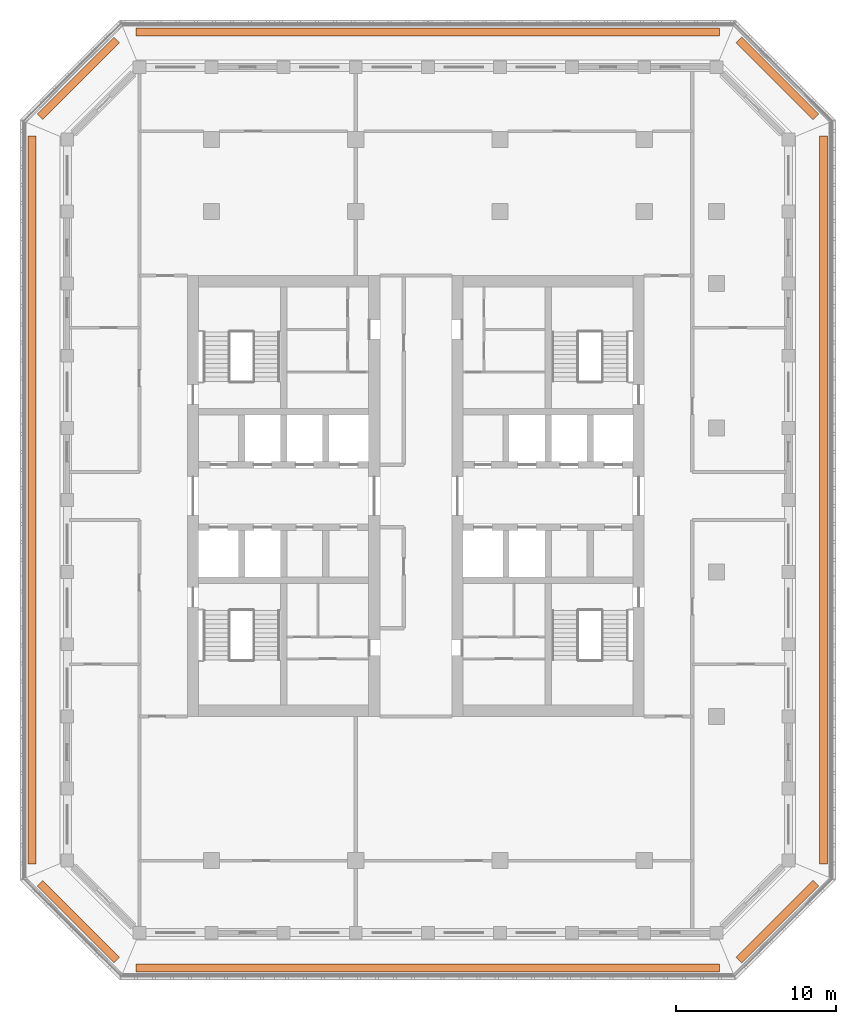
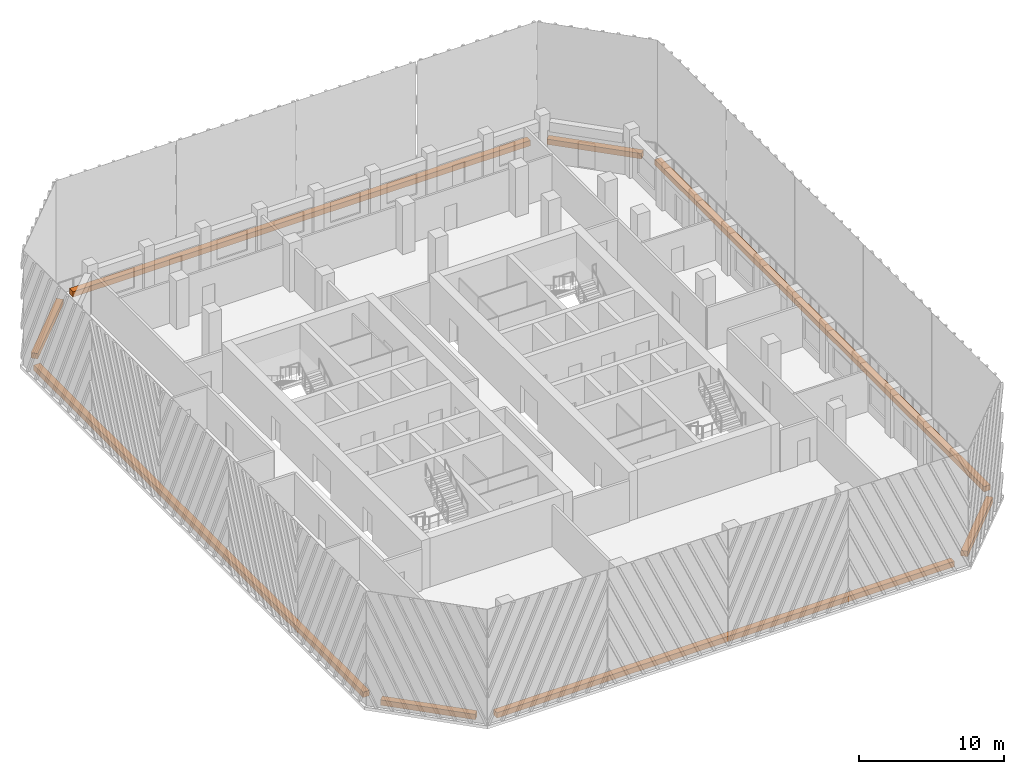
# One storey, part 17 of 17: 8 proxies.
"""IFC4 building model written with IfcOpenShell, lengths in metres."""

import ifcopenshell
import ifcopenshell.guid

model = None  # the IFC model being written
_history = None  # IfcOwnerHistory: only IFC2X3 demands one
_inside = {}  # id of a spatial element -> (the spatial element, [elements in it])
_under = {}  # id of a project, library or spatial element -> (it, [spatial elements below it])
_declared = {}  # id of a project -> (the project, [libraries it declares])
_typed = {}  # id of a type object -> (the type object, [elements of that type])
_made_of = {}  # id of a material, layer set ... -> (it, [elements and type objects made of it])


def new_model(schema):
    """Start an empty IFC model of exactly this schema.

    Asked for "IFC4X3", IfcOpenShell would pick the latest addendum, in which some entities
    have other attributes; the version numbers below select the first issue.
    IFC2X3 requires an IfcOwnerHistory on every rooted entity: one is made here for all.
    """
    global model, _history
    if schema == "IFC4X3":
        model = ifcopenshell.file(schema_version=(4, 3, 0, 0))
    else:
        model = ifcopenshell.file(schema=schema)
    _inside.clear()
    _under.clear()
    _declared.clear()
    _typed.clear()
    _made_of.clear()
    _history = None
    if model.schema == "IFC2X3":
        org = make("IfcOrganization", Name="unknown")
        user = make(
            "IfcPersonAndOrganization",
            ThePerson=make("IfcPerson", FamilyName="unknown"),
            TheOrganization=org,
        )
        app = make(
            "IfcApplication",
            ApplicationDeveloper=org,
            Version="unknown",
            ApplicationFullName="unknown",
            ApplicationIdentifier="unknown",
        )
        _history = make(
            "IfcOwnerHistory",
            OwningUser=user,
            OwningApplication=app,
            ChangeAction="ADDED",
            CreationDate=0,
        )
    return model


def make(cls, **values):
    """One entity of the class cls with the attributes given. An attribute that is None is left unset."""
    return model.create_entity(
        cls, **{name: value for name, value in values.items() if value is not None}
    )


def rooted(cls, **values):
    """An entity with a GlobalId (a new one), such as an element, a storey or a relation."""
    return make(cls, GlobalId=ifcopenshell.guid.new(), OwnerHistory=_history, **values)


def si_unit(unit_type, name, prefix=None):
    """IfcSIUnit, for example si_unit("LENGTHUNIT", "METRE", prefix="MILLI")."""
    return make("IfcSIUnit", UnitType=unit_type, Prefix=prefix, Name=name)


def assignment(units):
    """IfcUnitAssignment: the units of a project."""
    return None if units is None else make("IfcUnitAssignment", Units=units)


def point(xyz):
    """IfcCartesianPoint."""
    return None if xyz is None else make("IfcCartesianPoint", Coordinates=xyz)


def direction(xyz):
    """IfcDirection."""
    return None if xyz is None else make("IfcDirection", DirectionRatios=xyz)


def frame(location, z_axis=None, x_axis=None):
    """IfcAxis2Placement3D, a coordinate frame: its origin and axes. An axis left out is left unset."""
    return make(
        "IfcAxis2Placement3D",
        Location=point(location),
        Axis=direction(z_axis),
        RefDirection=direction(x_axis),
    )


def frame_2d(location, x_axis=None):
    """IfcAxis2Placement2D, a coordinate frame in the plane: its origin and x axis."""
    return make(
        "IfcAxis2Placement2D", Location=point(location), RefDirection=direction(x_axis)
    )


def origin():
    """The frame at (0, 0, 0) with its axes left unset."""
    return frame((0.0, 0.0, 0.0))


def origin_2d():
    """The frame at (0, 0) in the plane with its x axis left unset."""
    return frame_2d((0.0, 0.0))


def place(relative_to, where):
    """IfcLocalPlacement: puts the frame where relative to a parent placement (None: the world)."""
    return make(
        "IfcLocalPlacement", PlacementRelTo=relative_to, RelativePlacement=where
    )


def context(
    kind, dimensions, precision=None, world=None, true_north=None, identifier=None
):
    """IfcGeometricRepresentationContext, for example the 3D "Model" context."""
    return make(
        "IfcGeometricRepresentationContext",
        ContextIdentifier=identifier,
        ContextType=kind,
        CoordinateSpaceDimension=dimensions,
        Precision=precision,
        WorldCoordinateSystem=world,
        TrueNorth=true_north,
    )


def subcontext(parent, identifier, kind, view, scale=None):
    """IfcGeometricRepresentationSubContext, for example "Body" below "Model"."""
    return make(
        "IfcGeometricRepresentationSubContext",
        ContextIdentifier=identifier,
        ContextType=kind,
        ParentContext=parent,
        TargetScale=scale,
        TargetView=view,
    )


def project(units=None, contexts=None):
    """IfcProject with its units and contexts."""
    return rooted(
        "IfcProject",
        Name="project",
        RepresentationContexts=contexts,
        UnitsInContext=assignment(units),
    )


def spatial(cls, under=None, at=None, **own):
    """A site, building, storey or space (cls), placed at a placement, below another one or the project."""
    s = rooted(cls, ObjectPlacement=at, **own)
    if under is not None:
        _under.setdefault(under.id(), (under, []))[1].append(s)
    return s


def profile(cls, at=None, kind="AREA", **sizes):
    """A parametric profile (cls). Its sizes go by their IFC names, for example OverallWidth=200.0."""
    return make(cls, ProfileType=kind, Position=at, **sizes)


def rectangle(**sizes):
    """IfcRectangleProfileDef."""
    return profile("IfcRectangleProfileDef", **sizes)


def extrude(swept, where, along, depth):
    """IfcExtrudedAreaSolid: the profile swept, set in the frame where, extruded along a direction by depth."""
    return make(
        "IfcExtrudedAreaSolid",
        SweptArea=swept,
        Position=where,
        ExtrudedDirection=direction(along),
        Depth=depth,
    )


def shape(context_of_items, identifier, shape_type, items):
    """IfcShapeRepresentation: the items that make up one representation, for example the "Body"."""
    return make(
        "IfcShapeRepresentation",
        ContextOfItems=context_of_items,
        RepresentationIdentifier=identifier,
        RepresentationType=shape_type,
        Items=items,
    )


def material(Name=None, Category=None):
    """IfcMaterial."""
    return make("IfcMaterial", Name=Name, Category=Category)


def made_of(thing, what):
    """Note that an element or type object is made of a material, layer set ...; save() writes the relation."""
    if what is not None:
        _made_of.setdefault(what.id(), (what, []))[1].append(thing)
    return thing


def type_object(cls, material=None, **own):
    """A type object (cls), such as IfcWallType, which elements share."""
    return made_of(rooted(cls, **own), material)


def element(
    cls,
    number,
    at=None,
    inside=None,
    cuts=None,
    type_object=None,
    material=None,
    context=None,
    identifier="Body",
    shape_type=None,
    held_by="IfcProductDefinitionShape",
    body=None,
    shapes=None,
    **own,
):
    """One element of the class cls, such as IfcWall. Its Tag is "e" and its number.

    at: its placement. inside: the storey or other place that contains it. cuts: it is an
    opening in that element (IfcRelVoidsElement). A single representation is given by context,
    identifier, shape_type and body (its items); several are given by shapes. held_by: the class
    of the entity that holds the representations. save() writes the other relations.
    """
    e = rooted(cls, Tag="e%d" % number, ObjectPlacement=at, **own)
    if body is not None:
        shapes = [shape(context, identifier, shape_type, body)]
    if shapes is not None:
        e.Representation = make(held_by, Representations=shapes)
    if inside is not None:
        _inside.setdefault(inside.id(), (inside, []))[1].append(e)
    if cuts is not None:
        rooted(
            "IfcRelVoidsElement", RelatingBuildingElement=cuts, RelatedOpeningElement=e
        )
    if type_object is not None:
        _typed.setdefault(type_object.id(), (type_object, []))[1].append(e)
    return made_of(e, material)


def aggregate(whole, parts):
    """IfcRelAggregates: a whole, such as a stair, and the parts it consists of."""
    return rooted("IfcRelAggregates", RelatingObject=whole, RelatedObjects=parts)


def save(model, path):
    """Write the relations noted so far, then the file.

    IfcRelAggregates (storeys below a building ...), IfcRelContainedInSpatialStructure (elements
    in a storey), IfcRelDefinesByType, IfcRelAssociatesMaterial and IfcRelDeclares: one each for
    every whole, place, type object, material and project.
    """
    for whole, parts in _under.values():
        aggregate(whole, parts)
    for where, things in _inside.values():
        rooted(
            "IfcRelContainedInSpatialStructure",
            RelatedElements=things,
            RelatingStructure=where,
        )
    for kind, things in _typed.values():
        rooted("IfcRelDefinesByType", RelatedObjects=things, RelatingType=kind)
    for what, things in _made_of.values():
        rooted("IfcRelAssociatesMaterial", RelatedObjects=things, RelatingMaterial=what)
    for by, libraries in _declared.values():
        rooted("IfcRelDeclares", RelatingContext=by, RelatedDefinitions=libraries)
    model.write(path)


model = new_model("IFC4")

# Units and contexts
model_context = context("Model", 3, precision=1e-05, world=origin(), true_north=direction((0.0, 1.0)))
body_context = subcontext(model_context, "Body", "Model", "MODEL_VIEW")
ifc_project = project(units=[si_unit("LENGTHUNIT", "METRE"), si_unit("AREAUNIT", "SQUARE_METRE"), si_unit("VOLUMEUNIT", "CUBIC_METRE"), si_unit("PLANEANGLEUNIT", "RADIAN"), si_unit("MASSUNIT", "GRAM", prefix="KILO")], contexts=[model_context])

# Site, building, storey
site_placement = place(None, origin())
site = spatial("IfcSite", under=ifc_project, at=site_placement, CompositionType="ELEMENT")
building_placement = place(site_placement, origin())
building = spatial("IfcBuilding", under=site, at=building_placement, Name="Corbel Stack Research Tower", CompositionType="ELEMENT")
storey_placement = place(building_placement, frame((0.0, 0.0, 256.199951171875)))
storey = spatial("IfcBuildingStorey", under=building, at=storey_placement, Name="L58", CompositionType="ELEMENT", Elevation=256.199951171875)

# Proxies
ifc_material = material(Name="Concrete C45/55", Category="concrete")
building_element_proxy_type = type_object("IfcBuildingElementProxyType", Name="Planter box", PredefinedType="USERDEFINED", material=ifc_material)
proxy_1_placement = place(storey_placement, frame((4.5, -24.699951171875, 0.0), z_axis=(0.0, 0.0, 1.0), x_axis=(1.0, 0.0, 0.0)))
element("IfcBuildingElementProxy", 1, at=proxy_1_placement, inside=storey, type_object=building_element_proxy_type, Name="Planter L58 S", ObjectType="PLANTER", PredefinedType="USERDEFINED", context=body_context, shape_type="SweptSolid", body=[
    extrude(rectangle(XDim=36.41064453125, YDim=0.5, at=origin_2d()), origin(), (0.0, 0.0, 1.0), 0.449951171875),
])
proxy_2_placement = place(storey_placement, frame((26.3056640625, -21.8056640625, 0.0), z_axis=(0.0, 0.0, 1.0), x_axis=(0.707106781187, 0.707106781187, 0.0)))
element("IfcBuildingElementProxy", 2, at=proxy_2_placement, inside=storey, type_object=building_element_proxy_type, Name="Planter L58 SE", ObjectType="PLANTER", PredefinedType="USERDEFINED", context=body_context, shape_type="SweptSolid", body=[
    extrude(rectangle(XDim=6.774658203125, YDim=0.5, at=origin_2d()), origin(), (0.0, 0.0, 1.0), 0.449951171875),
])
proxy_3_placement = place(storey_placement, frame((29.199951171875, 4.5, 0.0), z_axis=(0.0, 0.0, 1.0), x_axis=(0.0, 1.0, 0.0)))
element("IfcBuildingElementProxy", 3, at=proxy_3_placement, inside=storey, type_object=building_element_proxy_type, Name="Planter L58 E", ObjectType="PLANTER", PredefinedType="USERDEFINED", context=body_context, shape_type="SweptSolid", body=[
    extrude(rectangle(XDim=45.41064453125, YDim=0.5, at=origin_2d()), origin(), (0.0, 0.0, 1.0), 0.449951171875),
])
proxy_4_placement = place(storey_placement, frame((26.3056640625, 30.8056640625, 0.0), z_axis=(0.0, 0.0, 1.0), x_axis=(-0.707106781187, 0.707106781187, 0.0)))
element("IfcBuildingElementProxy", 4, at=proxy_4_placement, inside=storey, type_object=building_element_proxy_type, Name="Planter L58 NE", ObjectType="PLANTER", PredefinedType="USERDEFINED", context=body_context, shape_type="SweptSolid", body=[
    extrude(rectangle(XDim=6.774658203125, YDim=0.5, at=origin_2d()), origin(), (0.0, 0.0, 1.0), 0.449951171875),
])
proxy_5_placement = place(storey_placement, frame((4.5, 33.699951171875, 0.0), z_axis=(0.0, 0.0, 1.0), x_axis=(-1.0, 0.0, 0.0)))
element("IfcBuildingElementProxy", 5, at=proxy_5_placement, inside=storey, type_object=building_element_proxy_type, Name="Planter L58 N", ObjectType="PLANTER", PredefinedType="USERDEFINED", context=body_context, shape_type="SweptSolid", body=[
    extrude(rectangle(XDim=36.41064453125, YDim=0.5, at=origin_2d()), origin(), (0.0, 0.0, 1.0), 0.449951171875),
])
proxy_6_placement = place(storey_placement, frame((-17.3056640625, 30.8056640625, 0.0), z_axis=(0.0, 0.0, 1.0), x_axis=(-0.707106781187, -0.707106781187, 0.0)))
element("IfcBuildingElementProxy", 6, at=proxy_6_placement, inside=storey, type_object=building_element_proxy_type, Name="Planter L58 NW", ObjectType="PLANTER", PredefinedType="USERDEFINED", context=body_context, shape_type="SweptSolid", body=[
    extrude(rectangle(XDim=6.774658203125, YDim=0.5, at=origin_2d()), origin(), (0.0, 0.0, 1.0), 0.449951171875),
])
proxy_7_placement = place(storey_placement, frame((-20.199951171875, 4.5, 0.0), z_axis=(0.0, 0.0, 1.0), x_axis=(0.0, -1.0, 0.0)))
element("IfcBuildingElementProxy", 7, at=proxy_7_placement, inside=storey, type_object=building_element_proxy_type, Name="Planter L58 W", ObjectType="PLANTER", PredefinedType="USERDEFINED", context=body_context, shape_type="SweptSolid", body=[
    extrude(rectangle(XDim=45.41064453125, YDim=0.5, at=origin_2d()), origin(), (0.0, 0.0, 1.0), 0.449951171875),
])
proxy_8_placement = place(storey_placement, frame((-17.3056640625, -21.8056640625, 0.0), z_axis=(0.0, 0.0, 1.0), x_axis=(0.707106781187, -0.707106781187, 0.0)))
element("IfcBuildingElementProxy", 8, at=proxy_8_placement, inside=storey, type_object=building_element_proxy_type, Name="Planter L58 SW", ObjectType="PLANTER", PredefinedType="USERDEFINED", context=body_context, shape_type="SweptSolid", body=[
    extrude(rectangle(XDim=6.774658203125, YDim=0.5, at=origin_2d()), origin(), (0.0, 0.0, 1.0), 0.449951171875),
])

save(model, "model.ifc")
